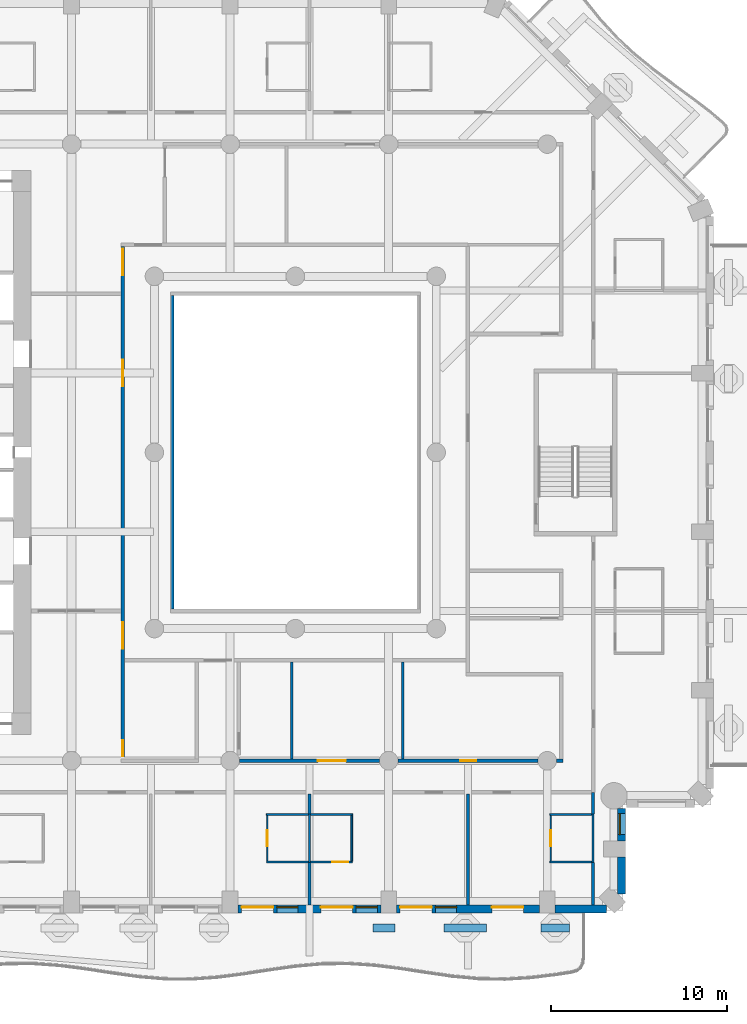
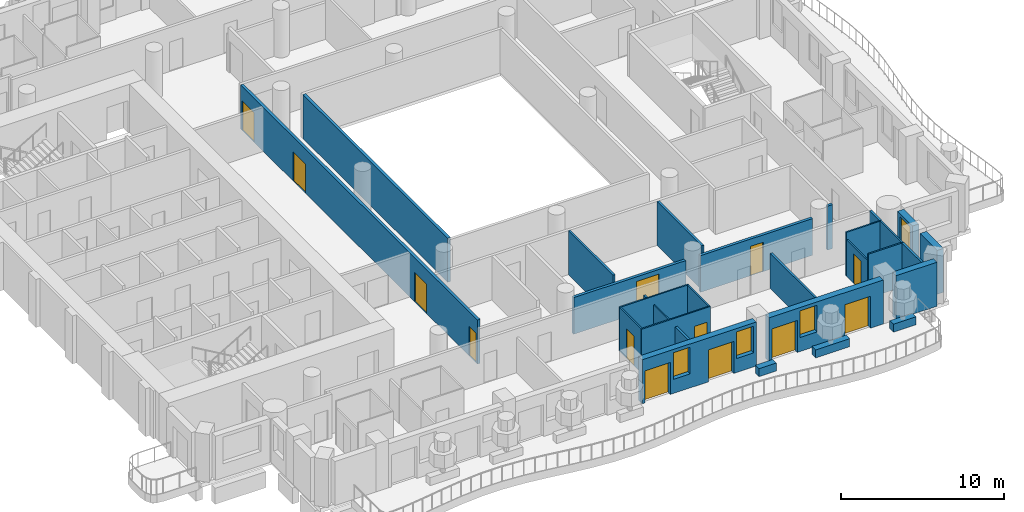
# One storey, part 5 of 20: 29 walls, 13 doors, 4 windows, 17 openings.
"""IFC4 building model written with IfcOpenShell, lengths in metres."""

from ifc_helpers import new_model, si_unit, direction, frame, frame_2d, origin, place, context, subcontext, project, spatial, rectangle, extrude, material, layer, layer_set, type_object, element, fill, save


model = new_model("IFC4")

# Units and contexts
model_context = context("Model", 3, precision=1e-05, world=origin(), true_north=direction((0.0, 1.0)))
body_context = subcontext(model_context, "Body", "Model", "MODEL_VIEW")
ifc_project = project(units=[si_unit("LENGTHUNIT", "METRE"), si_unit("AREAUNIT", "SQUARE_METRE"), si_unit("VOLUMEUNIT", "CUBIC_METRE"), si_unit("PLANEANGLEUNIT", "RADIAN"), si_unit("MASSUNIT", "GRAM", prefix="KILO")], contexts=[model_context])

# Site, building, storey
site_placement = place(None, origin())
site = spatial("IfcSite", under=ifc_project, at=site_placement, CompositionType="ELEMENT")
building_placement = place(site_placement, origin())
building = spatial("IfcBuilding", under=site, at=building_placement, Name="Cypress Arch Tower", CompositionType="ELEMENT")
storey_placement = place(building_placement, frame((0.0, 0.0, 120.300048828125)))
storey = spatial("IfcBuildingStorey", under=building, at=storey_placement, Name="L25", CompositionType="ELEMENT", Elevation=120.300048828125)

# Walls
ifc_material_1 = material(Name="Concrete C40/50, waterproofed", Category="concrete")
ifc_layer_1 = layer(ifc_material_1, 0.449951171875)
ifc_layer_set_1 = layer_set([ifc_layer_1], Name="Balcony planter wall PW450")
wall_type_1 = type_object("IfcWallType", Name="Balcony planter wall PW450", PredefinedType="SOLIDWALL", material=ifc_layer_set_1)
wall_1_placement = place(storey_placement, frame((5.419921875, -27.0, 0.0), z_axis=(0.0, 0.0, 1.0), x_axis=(1.0, 0.0, 0.0)))
element("IfcWall", 1, at=wall_1_placement, inside=storey, type_object=wall_type_1, Name="Balcony planter wall L25-A03.5", PredefinedType="SOLIDWALL", context=body_context, shape_type="SweptSolid", body=[
    extrude(rectangle(XDim=1.22998046875, YDim=0.449951171875, at=frame_2d((0.614990234375, 0.0))), origin(), (0.0, 0.0, 1.0), 0.599853515625),
])
wall_2_placement = place(storey_placement, frame((9.429931640625, -27.0, 0.0), z_axis=(0.0, 0.0, 1.0), x_axis=(1.0, 0.0, 0.0)))
element("IfcWall", 2, at=wall_2_placement, inside=storey, type_object=wall_type_1, Name="Balcony planter wall L25-A03.6", PredefinedType="SOLIDWALL", context=body_context, shape_type="SweptSolid", body=[
    extrude(rectangle(XDim=2.420166015625, YDim=0.449951171875, at=frame_2d((1.2099609375, 0.0))), origin(), (0.0, 0.0, 1.0), 0.599853515625),
])
wall_3_placement = place(storey_placement, frame((14.949951171875, -27.0, 0.0), z_axis=(0.0, 0.0, 1.0), x_axis=(1.0, 0.0, 0.0)))
element("IfcWall", 3, at=wall_3_placement, inside=storey, type_object=wall_type_1, Name="Balcony planter wall L25-A03.7", PredefinedType="SOLIDWALL", context=body_context, shape_type="SweptSolid", body=[
    extrude(rectangle(XDim=1.60009765625, YDim=0.449951171875, at=frame_2d((0.800048828125, 0.0))), origin(), (0.0, 0.0, 1.0), 0.599853515625),
])

# Wall, openings, doors, windows
ifc_material_2 = material(Name="Brick (red buff blend)", Category="masonry")
ifc_layer_2 = layer(ifc_material_2, 0.449951171875)
ifc_layer_set_2 = layer_set([ifc_layer_2], Name="Brick pier and spandrel wall BW450")
wall_type_2 = type_object("IfcWallType", Name="Brick pier and spandrel wall BW450", PredefinedType="SOLIDWALL", material=ifc_layer_set_2)
wall_4_placement = place(storey_placement, frame((-2.25, -25.925048828125, 0.0), z_axis=(0.0, 0.0, 1.0), x_axis=(1.0, 0.0, 0.0)))
wall_4 = element("IfcWall", 4, at=wall_4_placement, inside=storey, type_object=wall_type_2, Name="Brick wall L25 A03.3", PredefinedType="SOLIDWALL", context=body_context, shape_type="SweptSolid", body=[
    extrude(rectangle(XDim=8.10009765625, YDim=0.449951171875, at=frame_2d((4.050048828125, 0.0))), origin(), (0.0, 0.0, 1.0), 3.300048828125),
])
opening_1_placement = place(wall_4_placement, frame((0.199951171875, 0.0, 0.0)))
opening_1 = element("IfcOpeningElement", 5, at=opening_1_placement, cuts=wall_4, Name="Opening D-L25-A03.3.1", PredefinedType="OPENING", context=body_context, shape_type="SweptSolid", body=[
    extrude(rectangle(XDim=1.800048828125, YDim=2.39990234375, at=frame_2d((0.89990234375, 1.199951171875))), frame((0.0, 0.23486328125, 0.0), z_axis=(0.0, -1.0, 0.0), x_axis=(1.0, 0.0, 0.0)), (0.0, 0.0, 1.0), 0.469970703125),
])
opening_2_placement = place(wall_4_placement, frame((2.199951171875, 0.0, 1.050048828125)))
opening_2 = element("IfcOpeningElement", 6, at=opening_2_placement, cuts=wall_4, Name="Opening W120HD", PredefinedType="OPENING", context=body_context, shape_type="SweptSolid", body=[
    extrude(rectangle(XDim=1.199951171875, YDim=2.0, at=frame_2d((0.60009765625, 1.0))), frame((0.0, 0.23486328125, 0.0), z_axis=(0.0, -1.0, 0.0), x_axis=(1.0, 0.0, 0.0)), (0.0, 0.0, 1.0), 0.469970703125),
])
opening_3_placement = place(wall_4_placement, frame((4.699951171875, 0.0, 0.0)))
opening_3 = element("IfcOpeningElement", 7, at=opening_3_placement, cuts=wall_4, Name="Opening D-L25-A03.3.2", PredefinedType="OPENING", context=body_context, shape_type="SweptSolid", body=[
    extrude(rectangle(XDim=1.800048828125, YDim=2.39990234375, at=frame_2d((0.89990234375, 1.199951171875))), frame((0.0, 0.23486328125, 0.0), z_axis=(0.0, -1.0, 0.0), x_axis=(1.0, 0.0, 0.0)), (0.0, 0.0, 1.0), 0.469970703125),
])
opening_4_placement = place(wall_4_placement, frame((6.699951171875, 0.0, 1.050048828125)))
opening_4 = element("IfcOpeningElement", 8, at=opening_4_placement, cuts=wall_4, Name="Opening W120HD", PredefinedType="OPENING", context=body_context, shape_type="SweptSolid", body=[
    extrude(rectangle(XDim=1.199951171875, YDim=2.0, at=frame_2d((0.60009765625, 1.0))), frame((0.0, 0.23486328125, 0.0), z_axis=(0.0, -1.0, 0.0), x_axis=(1.0, 0.0, 0.0)), (0.0, 0.0, 1.0), 0.469970703125),
])
ifc_material_3 = material(Name="Anodised aluminium, bronze finish, laminated low-emissivity double glazing, large-missile impact rated", Category="aluminium")
door_type_1 = type_object("IfcDoorType", Name="Balcony sliding door 1800x2400", OperationType="SLIDING_TO_LEFT", PredefinedType="DOOR", material=ifc_material_3)
door_1_placement = place(opening_1_placement, origin())
door_1 = element("IfcDoor", 9, at=door_1_placement, inside=storey, type_object=door_type_1, Name="Balcony door L25 A03.3.1", OperationType="SLIDING_TO_LEFT", OverallHeight=2.39990234375, OverallWidth=1.800048828125, PredefinedType="DOOR", context=body_context, shape_type="SweptSolid", body=[
    extrude(rectangle(XDim=1.800048828125, YDim=2.39990234375, at=frame_2d((0.89990234375, 1.199951171875))), frame((0.0, 0.1298828125, 0.0), z_axis=(0.0, -1.0, 0.0), x_axis=(1.0, 0.0, 0.0)), (0.0, 0.0, 1.0), 0.050048828125),
])
fill(opening_1, door_1)
door_2_placement = place(opening_3_placement, origin())
door_2 = element("IfcDoor", 10, at=door_2_placement, inside=storey, type_object=door_type_1, Name="Balcony door L25 A03.3.2", OperationType="SLIDING_TO_LEFT", OverallHeight=2.39990234375, OverallWidth=1.800048828125, PredefinedType="DOOR", context=body_context, shape_type="SweptSolid", body=[
    extrude(rectangle(XDim=1.800048828125, YDim=2.39990234375, at=frame_2d((0.89990234375, 1.199951171875))), frame((0.0, 0.1298828125, 0.0), z_axis=(0.0, -1.0, 0.0), x_axis=(1.0, 0.0, 0.0)), (0.0, 0.0, 1.0), 0.050048828125),
])
fill(opening_3, door_2)
ifc_material_4 = material(Name="Anodised aluminium, bronze finish, laminated low-emissivity double glazing, large-missile impact rated", Category="aluminium")
window_type_1 = type_object("IfcWindowType", Name="Window Hotel 1200x2000 debris-rated", PartitioningType="SINGLE_PANEL", PredefinedType="WINDOW", material=ifc_material_4)
window_1_placement = place(opening_2_placement, origin())
window_1 = element("IfcWindow", 11, at=window_1_placement, inside=storey, type_object=window_type_1, Name="Window L25 A03.3.1", OverallHeight=2.0, OverallWidth=1.199951171875, PartitioningType="SINGLE_PANEL", PredefinedType="WINDOW", context=body_context, shape_type="SweptSolid", body=[
    extrude(rectangle(XDim=1.199951171875, YDim=2.0, at=frame_2d((0.60009765625, 1.0))), frame((0.0, 0.135009765625, 0.0), z_axis=(0.0, -1.0, 0.0), x_axis=(1.0, 0.0, 0.0)), (0.0, 0.0, 1.0), 0.06005859375),
])
fill(opening_2, window_1)
window_2_placement = place(opening_4_placement, origin())
window_2 = element("IfcWindow", 12, at=window_2_placement, inside=storey, type_object=window_type_1, Name="Window L25 A03.3.2", OverallHeight=2.0, OverallWidth=1.199951171875, PartitioningType="SINGLE_PANEL", PredefinedType="WINDOW", context=body_context, shape_type="SweptSolid", body=[
    extrude(rectangle(XDim=1.199951171875, YDim=2.0, at=frame_2d((0.60009765625, 1.0))), frame((0.0, 0.135009765625, 0.0), z_axis=(0.0, -1.0, 0.0), x_axis=(1.0, 0.0, 0.0)), (0.0, 0.0, 1.0), 0.06005859375),
])
fill(opening_4, window_2)

# Wall, openings, doors, window
wall_5_placement = place(storey_placement, frame((6.75, -25.925048828125, 0.0), z_axis=(0.0, 0.0, 1.0), x_axis=(1.0, 0.0, 0.0)))
wall_5 = element("IfcWall", 13, at=wall_5_placement, inside=storey, type_object=wall_type_2, Name="Brick wall L25 A03.4", PredefinedType="SOLIDWALL", context=body_context, shape_type="SweptSolid", body=[
    extrude(rectangle(XDim=8.10009765625, YDim=0.449951171875, at=frame_2d((4.050048828125, 0.0))), origin(), (0.0, 0.0, 1.0), 3.300048828125),
])
opening_5_placement = place(wall_5_placement, frame((0.199951171875, 0.0, 0.0)))
opening_5 = element("IfcOpeningElement", 14, at=opening_5_placement, cuts=wall_5, Name="Opening D-L25-A03.4.1", PredefinedType="OPENING", context=body_context, shape_type="SweptSolid", body=[
    extrude(rectangle(XDim=1.800048828125, YDim=2.39990234375, at=frame_2d((0.89990234375, 1.199951171875))), frame((0.0, 0.23486328125, 0.0), z_axis=(0.0, -1.0, 0.0), x_axis=(1.0, 0.0, 0.0)), (0.0, 0.0, 1.0), 0.469970703125),
])
opening_6_placement = place(wall_5_placement, frame((2.199951171875, 0.0, 1.050048828125)))
opening_6 = element("IfcOpeningElement", 15, at=opening_6_placement, cuts=wall_5, Name="Opening W120HD", PredefinedType="OPENING", context=body_context, shape_type="SweptSolid", body=[
    extrude(rectangle(XDim=1.199951171875, YDim=2.0, at=frame_2d((0.60009765625, 1.0))), frame((0.0, 0.23486328125, 0.0), z_axis=(0.0, -1.0, 0.0), x_axis=(1.0, 0.0, 0.0)), (0.0, 0.0, 1.0), 0.469970703125),
])
opening_7_placement = place(wall_5_placement, frame((5.39990234375, 0.0, 0.0)))
opening_7 = element("IfcOpeningElement", 16, at=opening_7_placement, cuts=wall_5, Name="Opening D-L25-A03.4.2", PredefinedType="OPENING", context=body_context, shape_type="SweptSolid", body=[
    extrude(rectangle(XDim=1.800048828125, YDim=2.39990234375, at=frame_2d((0.89990234375, 1.199951171875))), frame((0.0, 0.23486328125, 0.0), z_axis=(0.0, -1.0, 0.0), x_axis=(1.0, 0.0, 0.0)), (0.0, 0.0, 1.0), 0.469970703125),
])
door_3_placement = place(opening_5_placement, origin())
door_3 = element("IfcDoor", 17, at=door_3_placement, inside=storey, type_object=door_type_1, Name="Balcony door L25 A03.4.1", OperationType="SLIDING_TO_LEFT", OverallHeight=2.39990234375, OverallWidth=1.800048828125, PredefinedType="DOOR", context=body_context, shape_type="SweptSolid", body=[
    extrude(rectangle(XDim=1.800048828125, YDim=2.39990234375, at=frame_2d((0.89990234375, 1.199951171875))), frame((0.0, 0.1298828125, 0.0), z_axis=(0.0, -1.0, 0.0), x_axis=(1.0, 0.0, 0.0)), (0.0, 0.0, 1.0), 0.050048828125),
])
fill(opening_5, door_3)
door_4_placement = place(opening_7_placement, origin())
door_4 = element("IfcDoor", 18, at=door_4_placement, inside=storey, type_object=door_type_1, Name="Balcony door L25 A03.4.2", OperationType="SLIDING_TO_LEFT", OverallHeight=2.39990234375, OverallWidth=1.800048828125, PredefinedType="DOOR", context=body_context, shape_type="SweptSolid", body=[
    extrude(rectangle(XDim=1.800048828125, YDim=2.39990234375, at=frame_2d((0.89990234375, 1.199951171875))), frame((0.0, 0.1298828125, 0.0), z_axis=(0.0, -1.0, 0.0), x_axis=(1.0, 0.0, 0.0)), (0.0, 0.0, 1.0), 0.050048828125),
])
fill(opening_7, door_4)
window_3_placement = place(opening_6_placement, origin())
window_3 = element("IfcWindow", 19, at=window_3_placement, inside=storey, type_object=window_type_1, Name="Window L25 A03.4.1", OverallHeight=2.0, OverallWidth=1.199951171875, PartitioningType="SINGLE_PANEL", PredefinedType="WINDOW", context=body_context, shape_type="SweptSolid", body=[
    extrude(rectangle(XDim=1.199951171875, YDim=2.0, at=frame_2d((0.60009765625, 1.0))), frame((0.0, 0.135009765625, 0.0), z_axis=(0.0, -1.0, 0.0), x_axis=(1.0, 0.0, 0.0)), (0.0, 0.0, 1.0), 0.06005859375),
])
fill(opening_6, window_3)

# Walls
wall_6_placement = place(storey_placement, frame((15.75, -25.925048828125, 0.0), z_axis=(0.0, 0.0, 1.0), x_axis=(1.0, 0.0, 0.0)))
element("IfcWall", 20, at=wall_6_placement, inside=storey, type_object=wall_type_2, Name="Brick wall L25 A03.5", PredefinedType="SOLIDWALL", context=body_context, shape_type="SweptSolid", body=[
    extrude(rectangle(XDim=2.91357421875, YDim=0.449951171875, at=frame_2d((1.456787109375, 0.0))), origin(), (0.0, 0.0, 1.0), 3.300048828125),
])
wall_7_placement = place(storey_placement, frame((19.52490234375, -25.063720703125, 0.0), z_axis=(0.0, 0.0, 1.0), x_axis=(0.0, 1.0, 0.0)))
element("IfcWall", 21, at=wall_7_placement, inside=storey, type_object=wall_type_2, Name="Brick wall L25 A04.0", PredefinedType="SOLIDWALL", context=body_context, shape_type="SweptSolid", body=[
    extrude(rectangle(XDim=2.11376953125, YDim=0.449951171875, at=frame_2d((1.056884765625, 0.0))), origin(), (0.0, 0.0, 1.0), 3.300048828125),
])

# Wall, opening, window
wall_8_placement = place(storey_placement, frame((19.52490234375, -22.050048828125, 0.0), z_axis=(0.0, 0.0, 1.0), x_axis=(0.0, 1.0, 0.0)))
wall_8 = element("IfcWall", 22, at=wall_8_placement, inside=storey, type_object=wall_type_2, Name="Brick wall L25 A04.1", PredefinedType="SOLIDWALL", context=body_context, shape_type="SweptSolid", body=[
    extrude(rectangle(XDim=1.843017578125, YDim=0.449951171875, at=frame_2d((0.92138671875, 0.0))), origin(), (0.0, 0.0, 1.0), 3.300048828125),
])
opening_8_placement = place(wall_8_placement, frame((0.35009765625, 0.0, 1.050048828125)))
opening_8 = element("IfcOpeningElement", 23, at=opening_8_placement, cuts=wall_8, Name="Opening W120H", PredefinedType="OPENING", context=body_context, shape_type="SweptSolid", body=[
    extrude(rectangle(XDim=1.199951171875, YDim=2.0, at=frame_2d((0.60009765625, 1.0))), frame((0.0, 0.23486328125, 0.0), z_axis=(0.0, -1.0, 0.0), x_axis=(1.0, 0.0, 0.0)), (0.0, 0.0, 1.0), 0.469970703125),
])
ifc_material_5 = material(Name="Anodised aluminium, bronze finish, clear low-emissivity double glazing", Category="aluminium")
window_type_2 = type_object("IfcWindowType", Name="Window Hotel 1200x2000", PartitioningType="SINGLE_PANEL", PredefinedType="WINDOW", material=ifc_material_5)
window_4_placement = place(opening_8_placement, origin())
window_4 = element("IfcWindow", 24, at=window_4_placement, inside=storey, type_object=window_type_2, Name="Window L25 A04.1.1", OverallHeight=2.0, OverallWidth=1.199951171875, PartitioningType="SINGLE_PANEL", PredefinedType="WINDOW", context=body_context, shape_type="SweptSolid", body=[
    extrude(rectangle(XDim=1.199951171875, YDim=2.0, at=frame_2d((0.60009765625, 1.0))), frame((0.0, 0.135009765625, 0.0), z_axis=(0.0, -1.0, 0.0), x_axis=(1.0, 0.0, 0.0)), (0.0, 0.0, 1.0), 0.06005859375),
])
fill(opening_8, window_4)

# Wall, openings, doors
ifc_material_6 = material(Name="Concrete blockwork, plastered, rated", Category="masonry")
ifc_layer_3 = layer(ifc_material_6, 0.199951171875)
ifc_layer_set_3 = layer_set([ifc_layer_3], Name="Corridor wall FW200")
wall_type_3 = type_object("IfcWallType", Name="Corridor wall FW200", PredefinedType="PARTITIONING", material=ifc_layer_set_3)
wall_9_placement = place(storey_placement, frame((-8.800048828125, -17.39990234375, 0.0), z_axis=(0.0, 0.0, 1.0), x_axis=(0.0, 1.0, 0.0)))
wall_9 = element("IfcWall", 25, at=wall_9_placement, inside=storey, type_object=wall_type_3, Name="Corridor wall", PredefinedType="PARTITIONING", context=body_context, shape_type="SweptSolid", body=[
    extrude(rectangle(XDim=29.099853515625, YDim=0.199951171875, at=frame_2d((14.5498046875, 0.0))), origin(), (0.0, 0.0, 1.0), 3.300048828125),
])
opening_9_placement = place(wall_9_placement, frame((21.14990234375, 0.0, 0.0)))
opening_9 = element("IfcOpeningElement", 26, at=opening_9_placement, cuts=wall_9, Name="Opening D04", PredefinedType="OPENING", context=body_context, shape_type="SweptSolid", body=[
    extrude(rectangle(XDim=1.5, YDim=2.199951171875, at=frame_2d((0.75, 1.10009765625))), frame((0.0, 0.10986328125, 0.0), z_axis=(0.0, -1.0, 0.0), x_axis=(1.0, 0.0, 0.0)), (0.0, 0.0, 1.0), 0.219970703125),
])
opening_10_placement = place(wall_9_placement, frame((6.25, 0.0, 0.0)))
opening_10 = element("IfcOpeningElement", 27, at=opening_10_placement, cuts=wall_9, Name="Opening D04", PredefinedType="OPENING", context=body_context, shape_type="SweptSolid", body=[
    extrude(rectangle(XDim=1.5, YDim=2.199951171875, at=frame_2d((0.75, 1.10009765625))), frame((0.0, 0.10986328125, 0.0), z_axis=(0.0, -1.0, 0.0), x_axis=(1.0, 0.0, 0.0)), (0.0, 0.0, 1.0), 0.219970703125),
])
opening_11_placement = place(wall_9_placement, frame((27.449951171875, 0.0, 0.0)))
opening_11 = element("IfcOpeningElement", 28, at=opening_11_placement, cuts=wall_9, Name="Opening D04", PredefinedType="OPENING", context=body_context, shape_type="SweptSolid", body=[
    extrude(rectangle(XDim=1.5, YDim=2.199951171875, at=frame_2d((0.75, 1.10009765625))), frame((0.0, 0.10986328125, 0.0), z_axis=(0.0, -1.0, 0.0), x_axis=(1.0, 0.0, 0.0)), (0.0, 0.0, 1.0), 0.219970703125),
])
opening_12_placement = place(wall_9_placement, frame((0.14990234375, 0.0, 0.0)))
opening_12 = element("IfcOpeningElement", 29, at=opening_12_placement, cuts=wall_9, Name="Opening D05", PredefinedType="OPENING", context=body_context, shape_type="SweptSolid", body=[
    extrude(rectangle(XDim=0.89990234375, YDim=2.199951171875, at=frame_2d((0.449951171875, 1.10009765625))), frame((0.0, 0.10986328125, 0.0), z_axis=(0.0, -1.0, 0.0), x_axis=(1.0, 0.0, 0.0)), (0.0, 0.0, 1.0), 0.219970703125),
])
ifc_material_7 = material(Name="Timber double door", Category="wood")
door_type_2 = type_object("IfcDoorType", Name="Double door D04 1500x2200", OperationType="DOUBLE_DOOR_SINGLE_SWING", PredefinedType="DOOR", material=ifc_material_7)
door_5_placement = place(opening_9_placement, origin())
door_5 = element("IfcDoor", 30, at=door_5_placement, inside=storey, type_object=door_type_2, Name="Double door", OperationType="DOUBLE_DOOR_SINGLE_SWING", OverallHeight=2.199951171875, OverallWidth=1.5, PredefinedType="DOOR", context=body_context, shape_type="SweptSolid", body=[
    extrude(rectangle(XDim=1.5, YDim=2.199951171875, at=frame_2d((0.75, 1.10009765625))), frame((0.0, 0.02490234375, 0.0), z_axis=(0.0, -1.0, 0.0), x_axis=(1.0, 0.0, 0.0)), (0.0, 0.0, 1.0), 0.050048828125),
])
fill(opening_9, door_5)
door_6_placement = place(opening_10_placement, origin())
door_6 = element("IfcDoor", 31, at=door_6_placement, inside=storey, type_object=door_type_2, Name="Double door", OperationType="DOUBLE_DOOR_SINGLE_SWING", OverallHeight=2.199951171875, OverallWidth=1.5, PredefinedType="DOOR", context=body_context, shape_type="SweptSolid", body=[
    extrude(rectangle(XDim=1.5, YDim=2.199951171875, at=frame_2d((0.75, 1.10009765625))), frame((0.0, 0.02490234375, 0.0), z_axis=(0.0, -1.0, 0.0), x_axis=(1.0, 0.0, 0.0)), (0.0, 0.0, 1.0), 0.050048828125),
])
fill(opening_10, door_6)
door_7_placement = place(opening_11_placement, origin())
door_7 = element("IfcDoor", 32, at=door_7_placement, inside=storey, type_object=door_type_2, Name="Double door", OperationType="DOUBLE_DOOR_SINGLE_SWING", OverallHeight=2.199951171875, OverallWidth=1.5, PredefinedType="DOOR", context=body_context, shape_type="SweptSolid", body=[
    extrude(rectangle(XDim=1.5, YDim=2.199951171875, at=frame_2d((0.75, 1.10009765625))), frame((0.0, 0.02490234375, 0.0), z_axis=(0.0, -1.0, 0.0), x_axis=(1.0, 0.0, 0.0)), (0.0, 0.0, 1.0), 0.050048828125),
])
fill(opening_11, door_7)
ifc_material_8 = material(Name="Timber flush door", Category="wood")
door_type_3 = type_object("IfcDoorType", Name="Service door D05 900x2200", OperationType="SINGLE_SWING_LEFT", PredefinedType="DOOR", material=ifc_material_8)
door_8_placement = place(opening_12_placement, origin())
door_8 = element("IfcDoor", 33, at=door_8_placement, inside=storey, type_object=door_type_3, Name="Service door", OperationType="SINGLE_SWING_RIGHT", OverallHeight=2.199951171875, OverallWidth=0.89990234375, PredefinedType="DOOR", context=body_context, shape_type="SweptSolid", body=[
    extrude(rectangle(XDim=0.89990234375, YDim=2.199951171875, at=frame_2d((0.449951171875, 1.10009765625))), frame((0.0, 0.02490234375, 0.0), z_axis=(0.0, -1.0, 0.0), x_axis=(1.0, 0.0, 0.0)), (0.0, 0.0, 1.0), 0.050048828125),
])
fill(opening_12, door_8)

# Wall
wall_10_placement = place(storey_placement, frame((-6.0, -8.89990234375, 0.0), z_axis=(0.0, 0.0, 1.0), x_axis=(0.0, 1.0, 0.0)))
element("IfcWall", 34, at=wall_10_placement, inside=storey, type_object=wall_type_3, Name="Corridor wall", PredefinedType="PARTITIONING", context=body_context, shape_type="SweptSolid", body=[
    extrude(rectangle(XDim=17.7998046875, YDim=0.199951171875, at=frame_2d((8.89990234375, 0.0))), origin(), (0.0, 0.0, 1.0), 3.300048828125),
])

# Wall, opening, door
wall_11_placement = place(storey_placement, frame((-2.175048828125, -17.5, 0.0), z_axis=(0.0, 0.0, 1.0), x_axis=(1.0, 0.0, 0.0)))
wall_11 = element("IfcWall", 35, at=wall_11_placement, inside=storey, type_object=wall_type_3, Name="Corridor wall", PredefinedType="PARTITIONING", context=body_context, shape_type="SweptSolid", body=[
    extrude(rectangle(XDim=7.949951171875, YDim=0.199951171875, at=frame_2d((3.97509765625, 0.0))), origin(), (0.0, 0.0, 1.0), 2.75),
])
opening_13_placement = place(wall_11_placement, frame((4.449951171875, 0.0, 0.0)))
opening_13 = element("IfcOpeningElement", 36, at=opening_13_placement, cuts=wall_11, Name="Opening D10", PredefinedType="OPENING", context=body_context, shape_type="SweptSolid", body=[
    extrude(rectangle(XDim=1.60009765625, YDim=2.39990234375, at=frame_2d((0.800048828125, 1.199951171875))), frame((0.0, 0.10986328125, 0.0), z_axis=(0.0, -1.0, 0.0), x_axis=(1.0, 0.0, 0.0)), (0.0, 0.0, 1.0), 0.219970703125),
])
ifc_material_9 = material(Name="Black aluminium glazed door", Category="aluminium")
door_type_4 = type_object("IfcDoorType", Name="Amenity door D10 1600x2400", OperationType="DOUBLE_DOOR_SINGLE_SWING", PredefinedType="DOOR", material=ifc_material_9)
door_9_placement = place(opening_13_placement, origin())
door_9 = element("IfcDoor", 37, at=door_9_placement, inside=storey, type_object=door_type_4, Name="Amenity door", OperationType="DOUBLE_DOOR_SINGLE_SWING", OverallHeight=2.39990234375, OverallWidth=1.60009765625, PredefinedType="DOOR", context=body_context, shape_type="SweptSolid", body=[
    extrude(rectangle(XDim=1.60009765625, YDim=2.39990234375, at=frame_2d((0.800048828125, 1.199951171875))), frame((0.0, 0.02490234375, 0.0), z_axis=(0.0, -1.0, 0.0), x_axis=(1.0, 0.0, 0.0)), (0.0, 0.0, 1.0), 0.050048828125),
])
fill(opening_13, door_9)

wall_12_placement = place(storey_placement, frame((6.824951171875, -17.5, 0.0), z_axis=(0.0, 0.0, 1.0), x_axis=(1.0, 0.0, 0.0)))
wall_12 = element("IfcWall", 38, at=wall_12_placement, inside=storey, type_object=wall_type_3, Name="Corridor wall", PredefinedType="PARTITIONING", context=body_context, shape_type="SweptSolid", body=[
    extrude(rectangle(XDim=7.949951171875, YDim=0.199951171875, at=frame_2d((3.97509765625, 0.0))), origin(), (0.0, 0.0, 1.0), 2.75),
])
opening_14_placement = place(wall_12_placement, frame((3.550048828125, 0.0, 0.0)))
opening_14 = element("IfcOpeningElement", 39, at=opening_14_placement, cuts=wall_12, Name="Opening D05", PredefinedType="OPENING", context=body_context, shape_type="SweptSolid", body=[
    extrude(rectangle(XDim=0.89990234375, YDim=2.199951171875, at=frame_2d((0.449951171875, 1.10009765625))), frame((0.0, 0.10986328125, 0.0), z_axis=(0.0, -1.0, 0.0), x_axis=(1.0, 0.0, 0.0)), (0.0, 0.0, 1.0), 0.219970703125),
])
door_10_placement = place(opening_14_placement, origin())
door_10 = element("IfcDoor", 40, at=door_10_placement, inside=storey, type_object=door_type_3, Name="Service door", OperationType="SINGLE_SWING_RIGHT", OverallHeight=2.199951171875, OverallWidth=0.89990234375, PredefinedType="DOOR", context=body_context, shape_type="SweptSolid", body=[
    extrude(rectangle(XDim=0.89990234375, YDim=2.199951171875, at=frame_2d((0.449951171875, 1.10009765625))), frame((0.0, 0.02490234375, 0.0), z_axis=(0.0, -1.0, 0.0), x_axis=(1.0, 0.0, 0.0)), (0.0, 0.0, 1.0), 0.050048828125),
])
fill(opening_14, door_10)

# Walls
wall_13_placement = place(storey_placement, frame((15.824951171875, -17.5, 0.0), z_axis=(0.0, 0.0, 1.0), x_axis=(1.0, 0.0, 0.0)))
element("IfcWall", 41, at=wall_13_placement, inside=storey, type_object=wall_type_3, Name="Corridor wall", PredefinedType="PARTITIONING", context=body_context, shape_type="SweptSolid", body=[
    extrude(rectangle(XDim=0.375, YDim=0.199951171875, at=frame_2d((0.1875, 0.0))), origin(), (0.0, 0.0, 1.0), 3.300048828125),
])
ifc_material_10 = material(Name="Blockwork, plastered both sides", Category="masonry")
ifc_layer_4 = layer(ifc_material_10, 0.14990234375)
ifc_layer_set_4 = layer_set([ifc_layer_4], Name="Partition PW150")
wall_type_4 = type_object("IfcWallType", Name="Partition PW150", PredefinedType="PARTITIONING", material=ifc_layer_set_4)
wall_14_placement = place(storey_placement, frame((0.800048828125, -17.39990234375, 0.0), z_axis=(0.0, 0.0, 1.0), x_axis=(0.0, 1.0, 0.0)))
element("IfcWall", 42, at=wall_14_placement, inside=storey, type_object=wall_type_4, Name="Partition", PredefinedType="PARTITIONING", context=body_context, shape_type="SweptSolid", body=[
    extrude(rectangle(XDim=5.5, YDim=0.14990234375, at=frame_2d((2.75, 0.0))), origin(), (0.0, 0.0, 1.0), 3.300048828125),
])
wall_15_placement = place(storey_placement, frame((1.800048828125, -25.699951171875, 0.0), z_axis=(0.0, 0.0, 1.0), x_axis=(0.0, 1.0, 0.0)))
element("IfcWall", 43, at=wall_15_placement, inside=storey, type_object=wall_type_4, Name="Partition", PredefinedType="PARTITIONING", context=body_context, shape_type="SweptSolid", body=[
    extrude(rectangle(XDim=2.429931640625, YDim=0.14990234375, at=frame_2d((1.21484375, 0.0))), origin(), (0.0, 0.0, 1.0), 2.64990234375),
])
wall_16_placement = place(storey_placement, frame((1.800048828125, -20.530029296875, 0.0), z_axis=(0.0, 0.0, 1.0), x_axis=(0.0, 1.0, 0.0)))
element("IfcWall", 44, at=wall_16_placement, inside=storey, type_object=wall_type_4, Name="Partition", PredefinedType="PARTITIONING", context=body_context, shape_type="SweptSolid", body=[
    extrude(rectangle(XDim=1.130126953125, YDim=0.14990234375, at=frame_2d((0.56494140625, 0.0))), origin(), (0.0, 0.0, 1.0), 2.64990234375),
])
wall_17_placement = place(storey_placement, frame((7.10009765625, -17.39990234375, 0.0), z_axis=(0.0, 0.0, 1.0), x_axis=(0.0, 1.0, 0.0)))
element("IfcWall", 45, at=wall_17_placement, inside=storey, type_object=wall_type_4, Name="Partition", PredefinedType="PARTITIONING", context=body_context, shape_type="SweptSolid", body=[
    extrude(rectangle(XDim=5.5, YDim=0.14990234375, at=frame_2d((2.75, 0.0))), origin(), (0.0, 0.0, 1.0), 3.300048828125),
])
wall_18_placement = place(storey_placement, frame((10.800048828125, -25.699951171875, 0.0), z_axis=(0.0, 0.0, 1.0), x_axis=(0.0, 1.0, 0.0)))
element("IfcWall", 46, at=wall_18_placement, inside=storey, type_object=wall_type_4, Name="Partition", PredefinedType="PARTITIONING", context=body_context, shape_type="SweptSolid", body=[
    extrude(rectangle(XDim=6.300048828125, YDim=0.14990234375, at=frame_2d((3.14990234375, 0.0))), origin(), (0.0, 0.0, 1.0), 2.64990234375),
])
wall_19_placement = place(storey_placement, frame((17.89990234375, -25.699951171875, 0.0), z_axis=(0.0, 0.0, 1.0), x_axis=(0.0, 1.0, 0.0)))
element("IfcWall", 47, at=wall_19_placement, inside=storey, type_object=wall_type_4, Name="Partition", PredefinedType="PARTITIONING", context=body_context, shape_type="SweptSolid", body=[
    extrude(rectangle(XDim=2.429931640625, YDim=0.14990234375, at=frame_2d((1.21484375, 0.0))), origin(), (0.0, 0.0, 1.0), 3.300048828125),
])
wall_20_placement = place(storey_placement, frame((17.89990234375, -20.530029296875, 0.0), z_axis=(0.0, 0.0, 1.0), x_axis=(0.0, 1.0, 0.0)))
element("IfcWall", 48, at=wall_20_placement, inside=storey, type_object=wall_type_4, Name="Partition", PredefinedType="PARTITIONING", context=body_context, shape_type="SweptSolid", body=[
    extrude(rectangle(XDim=1.22998046875, YDim=0.14990234375, at=frame_2d((0.614990234375, 0.0))), origin(), (0.0, 0.0, 1.0), 3.300048828125),
])

# Wall, opening, door
ifc_material_11 = material(Name="Moisture resistant board on steel studs, tiled", Category="steel")
ifc_layer_5 = layer(ifc_material_11, 0.10009765625)
ifc_layer_set_5 = layer_set([ifc_layer_5], Name="Wet wall PW100")
wall_type_5 = type_object("IfcWallType", Name="Wet wall PW100", PredefinedType="PARTITIONING", material=ifc_layer_set_5)
wall_21_placement = place(storey_placement, frame((-0.595947265625, -23.199951171875, 0.0), z_axis=(0.0, 0.0, 1.0), x_axis=(0.0, 1.0, 0.0)))
wall_21 = element("IfcWall", 49, at=wall_21_placement, inside=storey, type_object=wall_type_5, Name="Wet wall", PredefinedType="PARTITIONING", context=body_context, shape_type="SweptSolid", body=[
    extrude(rectangle(XDim=2.599853515625, YDim=0.10009765625, at=frame_2d((1.2998046875, 0.0))), origin(), (0.0, 0.0, 1.0), 3.300048828125),
])
opening_15_placement = place(wall_21_placement, frame((0.85009765625, 0.0, 0.0)))
opening_15 = element("IfcOpeningElement", 50, at=opening_15_placement, cuts=wall_21, Name="Opening D03", PredefinedType="OPENING", context=body_context, shape_type="SweptSolid", body=[
    extrude(rectangle(XDim=0.89990234375, YDim=2.199951171875, at=frame_2d((0.449951171875, 1.10009765625))), frame((0.0, 0.06005859375, 0.0), z_axis=(0.0, -1.0, 0.0), x_axis=(1.0, 0.0, 0.0)), (0.0, 0.0, 1.0), 0.1201171875),
])
ifc_material_12 = material(Name="Timber flush door, moisture resistant", Category="wood")
door_type_5 = type_object("IfcDoorType", Name="Bathroom door D03 900x2200", OperationType="SINGLE_SWING_LEFT", PredefinedType="DOOR", material=ifc_material_12)
door_11_placement = place(opening_15_placement, origin())
door_11 = element("IfcDoor", 51, at=door_11_placement, inside=storey, type_object=door_type_5, Name="Bathroom door", OperationType="SINGLE_SWING_LEFT", OverallHeight=2.199951171875, OverallWidth=0.89990234375, PredefinedType="DOOR", context=body_context, shape_type="SweptSolid", body=[
    extrude(rectangle(XDim=0.89990234375, YDim=2.199951171875, at=frame_2d((0.449951171875, 1.10009765625))), frame((0.0, 0.02490234375, 0.0), z_axis=(0.0, -1.0, 0.0), x_axis=(1.0, 0.0, 0.0)), (0.0, 0.0, 1.0), 0.050048828125),
])
fill(opening_15, door_11)

wall_22_placement = place(storey_placement, frame((-0.64599609375, -23.25, 0.0), z_axis=(0.0, 0.0, 1.0), x_axis=(1.0, 0.0, 0.0)))
wall_22 = element("IfcWall", 52, at=wall_22_placement, inside=storey, type_object=wall_type_5, Name="Wet wall", PredefinedType="PARTITIONING", context=body_context, shape_type="SweptSolid", body=[
    extrude(rectangle(XDim=4.89208984375, YDim=0.10009765625, at=frame_2d((2.446044921875, 0.0))), origin(), (0.0, 0.0, 1.0), 3.300048828125),
])
opening_16_placement = place(wall_22_placement, frame((3.75, 0.0, 0.0)))
opening_16 = element("IfcOpeningElement", 53, at=opening_16_placement, cuts=wall_22, Name="Opening D03", PredefinedType="OPENING", context=body_context, shape_type="SweptSolid", body=[
    extrude(rectangle(XDim=0.89990234375, YDim=2.199951171875, at=frame_2d((0.449951171875, 1.10009765625))), frame((0.0, 0.06005859375, 0.0), z_axis=(0.0, -1.0, 0.0), x_axis=(1.0, 0.0, 0.0)), (0.0, 0.0, 1.0), 0.1201171875),
])
door_12_placement = place(opening_16_placement, origin())
door_12 = element("IfcDoor", 54, at=door_12_placement, inside=storey, type_object=door_type_5, Name="Bathroom door", OperationType="SINGLE_SWING_RIGHT", OverallHeight=2.199951171875, OverallWidth=0.89990234375, PredefinedType="DOOR", context=body_context, shape_type="SweptSolid", body=[
    extrude(rectangle(XDim=0.89990234375, YDim=2.199951171875, at=frame_2d((0.449951171875, 1.10009765625))), frame((0.0, 0.02490234375, 0.0), z_axis=(0.0, -1.0, 0.0), x_axis=(1.0, 0.0, 0.0)), (0.0, 0.0, 1.0), 0.050048828125),
])
fill(opening_16, door_12)

# Walls
wall_23_placement = place(storey_placement, frame((-0.64599609375, -20.550048828125, 0.0), z_axis=(0.0, 0.0, 1.0), x_axis=(1.0, 0.0, 0.0)))
element("IfcWall", 55, at=wall_23_placement, inside=storey, type_object=wall_type_5, Name="Wet wall", PredefinedType="PARTITIONING", context=body_context, shape_type="SweptSolid", body=[
    extrude(rectangle(XDim=4.89208984375, YDim=0.10009765625, at=frame_2d((2.446044921875, 0.0))), origin(), (0.0, 0.0, 1.0), 3.300048828125),
])
wall_24_placement = place(storey_placement, frame((1.800048828125, -23.27001953125, 0.0), z_axis=(0.0, 0.0, 1.0), x_axis=(0.0, 1.0, 0.0)))
element("IfcWall", 56, at=wall_24_placement, inside=storey, type_object=wall_type_5, Name="Wet wall", PredefinedType="PARTITIONING", context=body_context, shape_type="SweptSolid", body=[
    extrude(rectangle(XDim=2.739990234375, YDim=0.10009765625, at=frame_2d((1.3701171875, 0.0))), origin(), (0.0, 0.0, 1.0), 2.64990234375),
])
wall_25_placement = place(storey_placement, frame((4.196044921875, -23.199951171875, 0.0), z_axis=(0.0, 0.0, 1.0), x_axis=(0.0, 1.0, 0.0)))
element("IfcWall", 57, at=wall_25_placement, inside=storey, type_object=wall_type_5, Name="Wet wall", PredefinedType="PARTITIONING", context=body_context, shape_type="SweptSolid", body=[
    extrude(rectangle(XDim=2.599853515625, YDim=0.10009765625, at=frame_2d((1.2998046875, 0.0))), origin(), (0.0, 0.0, 1.0), 3.300048828125),
])

# Wall, opening, door
wall_26_placement = place(storey_placement, frame((15.5, -23.199951171875, 0.0), z_axis=(0.0, 0.0, 1.0), x_axis=(0.0, 1.0, 0.0)))
wall_26 = element("IfcWall", 58, at=wall_26_placement, inside=storey, type_object=wall_type_5, Name="Wet wall", PredefinedType="PARTITIONING", context=body_context, shape_type="SweptSolid", body=[
    extrude(rectangle(XDim=2.599853515625, YDim=0.10009765625, at=frame_2d((1.2998046875, 0.0))), origin(), (0.0, 0.0, 1.0), 2.75),
])
opening_17_placement = place(wall_26_placement, frame((0.85009765625, 0.0, 0.0)))
opening_17 = element("IfcOpeningElement", 59, at=opening_17_placement, cuts=wall_26, Name="Opening D03", PredefinedType="OPENING", context=body_context, shape_type="SweptSolid", body=[
    extrude(rectangle(XDim=0.89990234375, YDim=2.199951171875, at=frame_2d((0.449951171875, 1.10009765625))), frame((0.0, 0.06005859375, 0.0), z_axis=(0.0, -1.0, 0.0), x_axis=(1.0, 0.0, 0.0)), (0.0, 0.0, 1.0), 0.1201171875),
])
door_13_placement = place(opening_17_placement, origin())
door_13 = element("IfcDoor", 60, at=door_13_placement, inside=storey, type_object=door_type_5, Name="Bathroom door", OperationType="SINGLE_SWING_LEFT", OverallHeight=2.199951171875, OverallWidth=0.89990234375, PredefinedType="DOOR", context=body_context, shape_type="SweptSolid", body=[
    extrude(rectangle(XDim=0.89990234375, YDim=2.199951171875, at=frame_2d((0.449951171875, 1.10009765625))), frame((0.0, 0.02490234375, 0.0), z_axis=(0.0, -1.0, 0.0), x_axis=(1.0, 0.0, 0.0)), (0.0, 0.0, 1.0), 0.050048828125),
])
fill(opening_17, door_13)

# Walls
for number, where, z_axis, x_axis, name in (
    (61, (15.449951171875, -23.25, 0.0), (0.0, 0.0, 1.0), (1.0, 0.0, 0.0), "Wet wall"),
    (62, (15.449951171875, -20.550048828125, 0.0), (0.0, 0.0, 1.0), (1.0, 0.0, 0.0), "Wet wall"),
):
    element("IfcWall", number, at=place(storey_placement, frame(where, z_axis=z_axis, x_axis=x_axis)), inside=storey, type_object=wall_type_5, Name=name, PredefinedType="PARTITIONING", context=body_context, shape_type="SweptSolid", body=[
        extrude(rectangle(XDim=2.375, YDim=0.10009765625, at=frame_2d((1.1875, 0.0))), origin(), (0.0, 0.0, 1.0), 3.300048828125),
    ])
wall_27_placement = place(storey_placement, frame((17.89990234375, -23.27001953125, 0.0), z_axis=(0.0, 0.0, 1.0), x_axis=(0.0, 1.0, 0.0)))
element("IfcWall", 63, at=wall_27_placement, inside=storey, type_object=wall_type_5, Name="Wet wall", PredefinedType="PARTITIONING", context=body_context, shape_type="SweptSolid", body=[
    extrude(rectangle(XDim=2.739990234375, YDim=0.10009765625, at=frame_2d((1.3701171875, 0.0))), origin(), (0.0, 0.0, 1.0), 3.300048828125),
])

save(model, "model.ifc")
